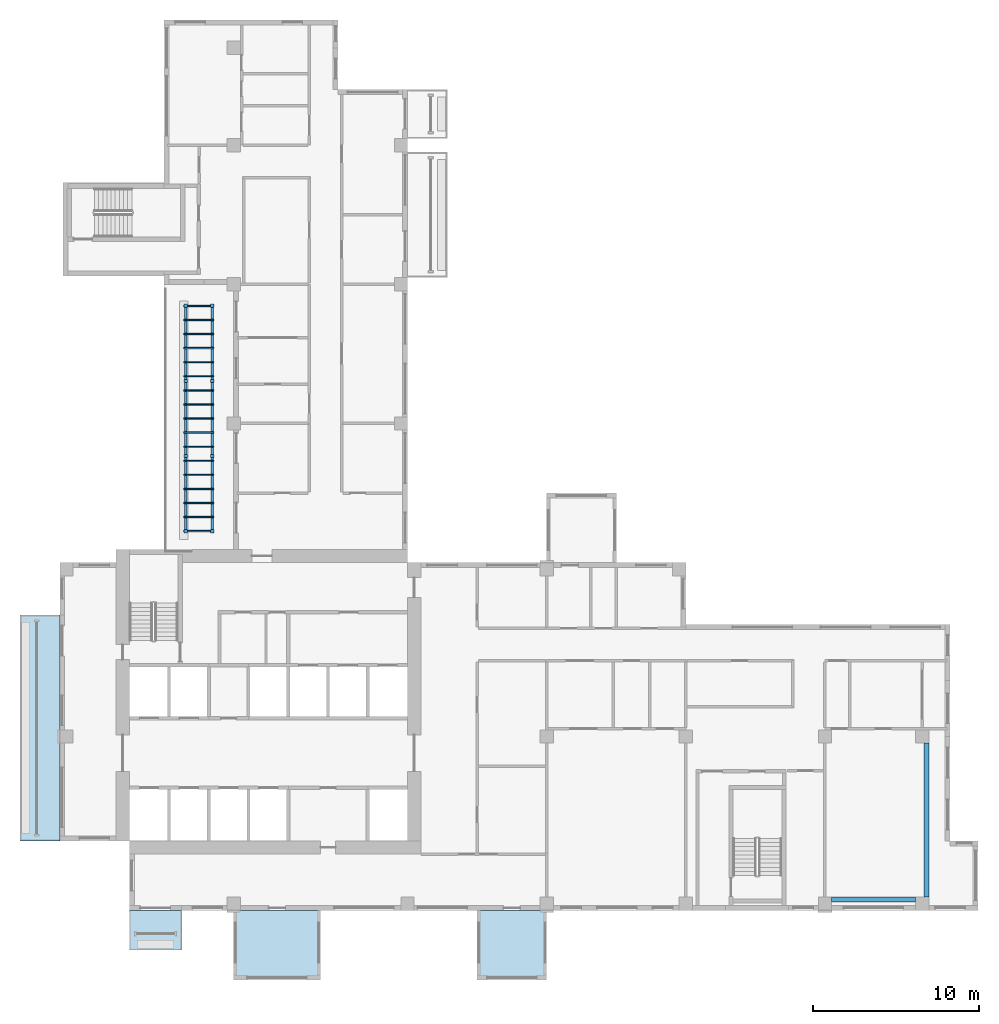
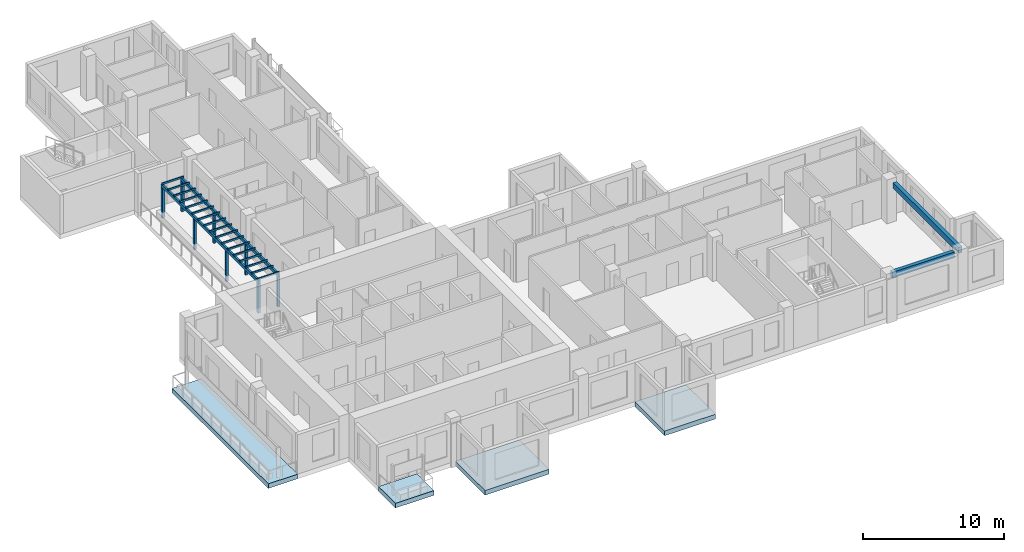
# One storey, part 2 of 14: 29 members, 4 slabs.
"""IFC4 building model written with IfcOpenShell, lengths in metres."""

from ifc_helpers import new_model, si_unit, direction, frame, origin, origin_2d, place, context, subcontext, project, spatial, polyline, rectangle, outline, extrude, source, transform, mapped, material, layer, layer_set, material_profile, profile_set, type_object, element, save


model = new_model("IFC4")

# Units and contexts
model_context = context("Model", 3, precision=1e-05, world=origin(), true_north=direction((0.0, 1.0)))
body_context = subcontext(model_context, "Body", "Model", "MODEL_VIEW")
ifc_project = project(units=[si_unit("LENGTHUNIT", "METRE"), si_unit("AREAUNIT", "SQUARE_METRE"), si_unit("VOLUMEUNIT", "CUBIC_METRE"), si_unit("PLANEANGLEUNIT", "RADIAN"), si_unit("MASSUNIT", "GRAM", prefix="KILO")], contexts=[model_context])

# Site, building, storey
site_placement = place(None, origin())
site = spatial("IfcSite", under=ifc_project, at=site_placement, CompositionType="ELEMENT")
building_placement = place(site_placement, origin())
building = spatial("IfcBuilding", under=site, at=building_placement, Name="Aurelian Terraces", CompositionType="ELEMENT")
storey_placement = place(building_placement, frame((0.0, 0.0, 231.0)))
storey = spatial("IfcBuildingStorey", under=building, at=storey_placement, Name="L52", CompositionType="ELEMENT", Elevation=231.0)

# Members
ifc_material_1 = material(Name="Concrete fc' 40 MPa", Category="concrete")
ifc_material_profile_1 = material_profile(ifc_material_1, rectangle(XDim=0.3, YDim=0.5, at=origin_2d()))
ifc_profile_set_1 = profile_set([ifc_material_profile_1], Name="Concrete fc' 40 MPa")
member_type_1 = type_object("IfcMemberType", Name="CONCRETE EDGE BEAM 300X500", PredefinedType="MEMBER", material=ifc_profile_set_1)
member_1_placement = place(storey_placement, frame((51.68, 0.65, 3.15), z_axis=(-1.0, 0.0, 0.0), x_axis=(0.0, -1.0, 0.0)))
element("IfcMember", 1, at=member_1_placement, inside=storey, type_object=member_type_1, Name="Terrace edge member L53-X1", PredefinedType="MEMBER", context=body_context, shape_type="SweptSolid", body=[
    extrude(rectangle(XDim=0.3, YDim=0.5, at=origin_2d()), origin(), (0.0, 0.0, 1.0), 5.08),
])
member_2_placement = place(storey_placement, frame((52.33, 0.8, 3.15), z_axis=(0.0, 1.0, 0.0), x_axis=(-1.0, 0.0, 0.0)))
element("IfcMember", 2, at=member_2_placement, inside=storey, type_object=member_type_1, Name="Terrace edge member L53-X1.2", PredefinedType="MEMBER", context=body_context, shape_type="SweptSolid", body=[
    extrude(rectangle(XDim=0.3, YDim=0.5, at=origin_2d()), origin(), (0.0, 0.0, 1.0), 9.3),
])
ifc_material_2 = material(Name="Anodised aluminium", Category="aluminium")
ifc_material_profile_2 = material_profile(ifc_material_2, rectangle(XDim=0.2, YDim=0.2, at=origin_2d()))
ifc_profile_set_2 = profile_set([ifc_material_profile_2], Name="Anodised aluminium")
member_type_2 = type_object("IfcMemberType", Name="PERGOLA POST 200X200", PredefinedType="POST", material=ifc_profile_set_2)
shared_shape_1 = source(origin(), body_context, "Body", "SweptSolid", [
    extrude(rectangle(XDim=0.2, YDim=0.2, at=origin_2d()), origin(), (0.0, 0.0, 1.0), 2.6),
])
for number, where, z_axis, x_axis, name in (
    (3, (7.6, 22.9, 0.0), (0.0, 0.0, 1.0), (1.0, 0.0, 0.0), "Pergola post L52 SKY-08-T1.1.1"),
    (4, (9.2, 22.9, 0.0), (0.0, 0.0, 1.0), (1.0, 0.0, 0.0), "Pergola post L52 SKY-08-T1.1.2"),
    (5, (7.6, 27.4333, 0.0), (0.0, 0.0, 1.0), (1.0, 0.0, 0.0), "Pergola post L52 SKY-08-T1.2.1"),
    (6, (9.2, 27.4333, 0.0), (0.0, 0.0, 1.0), (1.0, 0.0, 0.0), "Pergola post L52 SKY-08-T1.2.2"),
    (7, (7.6, 31.9667, 0.0), (0.0, 0.0, 1.0), (1.0, 0.0, 0.0), "Pergola post L52 SKY-08-T1.3.1"),
    (8, (9.2, 31.9667, 0.0), (0.0, 0.0, 1.0), (1.0, 0.0, 0.0), "Pergola post L52 SKY-08-T1.3.2"),
    (9, (7.6, 36.5, 0.0), (0.0, 0.0, 1.0), (1.0, 0.0, 0.0), "Pergola post L52 SKY-08-T1.4.1"),
    (10, (9.2, 36.5, 0.0), (0.0, 0.0, 1.0), (1.0, 0.0, 0.0), "Pergola post L52 SKY-08-T1.4.2"),
):
    element("IfcMember", number, at=place(storey_placement, frame(where, z_axis=z_axis, x_axis=x_axis)), inside=storey, type_object=member_type_2, Name=name, PredefinedType="POST", context=body_context, shape_type="MappedRepresentation", body=[
        mapped(shared_shape_1, transform((0.0, 0.0, 0.0), scale=1.0)),
    ])
ifc_material_profile_3 = material_profile(ifc_material_2, rectangle(XDim=0.15, YDim=0.25, at=origin_2d()))
ifc_profile_set_3 = profile_set([ifc_material_profile_3], Name="Anodised aluminium")
member_type_3 = type_object("IfcMemberType", Name="PERGOLA BEAM 150X250", PredefinedType="PURLIN", material=ifc_profile_set_3)
shared_shape_2 = source(origin(), body_context, "Body", "SweptSolid", [
    extrude(rectangle(XDim=0.15, YDim=0.25, at=origin_2d()), origin(), (0.0, 0.0, 1.0), 13.8),
])
for number, where, z_axis, x_axis, name in (
    (11, (7.6, 22.8, 2.725), (0.0, 1.0, 0.0), (-1.0, 0.0, 0.0), "Pergola beam L52 SKY-08-T1.1"),
    (12, (9.2, 22.8, 2.725), (0.0, 1.0, 0.0), (-1.0, 0.0, 0.0), "Pergola beam L52 SKY-08-T1.2"),
):
    element("IfcMember", number, at=place(storey_placement, frame(where, z_axis=z_axis, x_axis=x_axis)), inside=storey, type_object=member_type_3, Name=name, PredefinedType="PURLIN", context=body_context, shape_type="MappedRepresentation", body=[
        mapped(shared_shape_2, transform((0.0, 0.0, 0.0), scale=1.0)),
    ])
ifc_material_profile_4 = material_profile(ifc_material_2, rectangle(XDim=0.08, YDim=0.15, at=origin_2d()))
ifc_profile_set_4 = profile_set([ifc_material_profile_4], Name="Anodised aluminium")
member_type_4 = type_object("IfcMemberType", Name="PERGOLA RAFTER 80X150", PredefinedType="RAFTER", material=ifc_profile_set_4)
shared_shape_3 = source(origin(), body_context, "Body", "SweptSolid", [
    extrude(rectangle(XDim=0.08, YDim=0.15, at=origin_2d()), origin(), (0.0, 0.0, 1.0), 1.8),
])
for number, where, z_axis, x_axis, name in (
    (13, (7.5, 22.9, 2.925), (1.0, 0.0, 0.0), (0.0, 1.0, 0.0), "Pergola rafter L52 SKY-08-T1.1"),
    (14, (7.5, 23.75, 2.925), (1.0, 0.0, 0.0), (0.0, 1.0, 0.0), "Pergola rafter L52 SKY-08-T1.2"),
    (15, (7.5, 24.6, 2.925), (1.0, 0.0, 0.0), (0.0, 1.0, 0.0), "Pergola rafter L52 SKY-08-T1.3"),
    (16, (7.5, 25.45, 2.925), (1.0, 0.0, 0.0), (0.0, 1.0, 0.0), "Pergola rafter L52 SKY-08-T1.4"),
    (17, (7.5, 26.3, 2.925), (1.0, 0.0, 0.0), (0.0, 1.0, 0.0), "Pergola rafter L52 SKY-08-T1.5"),
    (18, (7.5, 27.15, 2.925), (1.0, 0.0, 0.0), (0.0, 1.0, 0.0), "Pergola rafter L52 SKY-08-T1.6"),
    (19, (7.5, 28.0, 2.925), (1.0, 0.0, 0.0), (0.0, 1.0, 0.0), "Pergola rafter L52 SKY-08-T1.7"),
    (20, (7.5, 28.85, 2.925), (1.0, 0.0, 0.0), (0.0, 1.0, 0.0), "Pergola rafter L52 SKY-08-T1.8"),
    (21, (7.5, 29.7, 2.925), (1.0, 0.0, 0.0), (0.0, 1.0, 0.0), "Pergola rafter L52 SKY-08-T1.9"),
    (22, (7.5, 30.55, 2.925), (1.0, 0.0, 0.0), (0.0, 1.0, 0.0), "Pergola rafter L52 SKY-08-T1.10"),
    (23, (7.5, 31.4, 2.925), (1.0, 0.0, 0.0), (0.0, 1.0, 0.0), "Pergola rafter L52 SKY-08-T1.11"),
    (24, (7.5, 32.25, 2.925), (1.0, 0.0, 0.0), (0.0, 1.0, 0.0), "Pergola rafter L52 SKY-08-T1.12"),
    (25, (7.5, 33.1, 2.925), (1.0, 0.0, 0.0), (0.0, 1.0, 0.0), "Pergola rafter L52 SKY-08-T1.13"),
    (26, (7.5, 33.95, 2.925), (1.0, 0.0, 0.0), (0.0, 1.0, 0.0), "Pergola rafter L52 SKY-08-T1.14"),
    (27, (7.5, 34.8, 2.925), (1.0, 0.0, 0.0), (0.0, 1.0, 0.0), "Pergola rafter L52 SKY-08-T1.15"),
    (28, (7.5, 35.65, 2.925), (1.0, 0.0, 0.0), (0.0, 1.0, 0.0), "Pergola rafter L52 SKY-08-T1.16"),
    (29, (7.5, 36.5, 2.925), (1.0, 0.0, 0.0), (0.0, 1.0, 0.0), "Pergola rafter L52 SKY-08-T1.17"),
):
    element("IfcMember", number, at=place(storey_placement, frame(where, z_axis=z_axis, x_axis=x_axis)), inside=storey, type_object=member_type_4, Name=name, PredefinedType="RAFTER", context=body_context, shape_type="MappedRepresentation", body=[
        mapped(shared_shape_3, transform((0.0, 0.0, 0.0), scale=1.0)),
    ])

# Slabs
ifc_layer_1 = layer(ifc_material_1, 0.41)
ifc_layer_set_1 = layer_set([ifc_layer_1], Name="Box floor 410")
slab_type_1 = type_object("IfcSlabType", Name="Box floor 410", PredefinedType="NOTDEFINED", material=ifc_layer_set_1)
shared_shape_4 = source(origin(), body_context, "Body", "SweptSolid", [
    extrude(outline(polyline([(25.2, -4.2), (29.4, -4.2), (29.4, 0.0), (25.2, 0.0), (25.2, -4.2)])), origin(), (0.0, 0.0, 1.0), 0.41),
])
slab_1_placement = place(storey_placement, frame((0.0, 0.0, -0.41)))
element("IfcSlab", 30, at=slab_1_placement, inside=storey, type_object=slab_type_1, Name="Box floor L52 J76", PredefinedType="NOTDEFINED", context=body_context, shape_type="MappedRepresentation", body=[
    mapped(shared_shape_4, transform((0.0, 0.0, 0.0), scale=1.0)),
])
ifc_layer_2 = layer(ifc_material_1, 0.4)
ifc_layer_set_2 = layer_set([ifc_layer_2], Name="Balcony slab 400")
slab_type_2 = type_object("IfcSlabType", Name="Balcony slab 400", PredefinedType="NOTDEFINED", material=ifc_layer_set_2)
shared_shape_5 = source(origin(), body_context, "Body", "SweptSolid", [
    extrude(outline(polyline([(0.0, 17.85), (0.0, 4.2), (-2.4, 4.2), (-2.4, 17.85), (0.0, 17.85)])), origin(), (0.0, 0.0, 1.0), 0.4),
])
slab_2_placement = place(storey_placement, frame((0.0, 0.0, -0.4)))
element("IfcSlab", 31, at=slab_2_placement, inside=storey, type_object=slab_type_2, Name="Balcony slab L52 F22.37", PredefinedType="NOTDEFINED", context=body_context, shape_type="MappedRepresentation", body=[
    mapped(shared_shape_5, transform((0.0, 0.0, 0.0), scale=1.0)),
])
shared_shape_6 = source(origin(), body_context, "Body", "SweptSolid", [
    extrude(outline(polyline([(10.5, -4.2), (15.75, -4.2), (15.75, 0.0), (10.5, 0.0), (10.5, -4.2)])), origin(), (0.0, 0.0, 1.0), 0.41),
])
slab_3_placement = place(storey_placement, frame((0.0, 0.0, -0.41)))
element("IfcSlab", 32, at=slab_3_placement, inside=storey, type_object=slab_type_1, Name="Box floor L52 J75", PredefinedType="NOTDEFINED", context=body_context, shape_type="MappedRepresentation", body=[
    mapped(shared_shape_6, transform((0.0, 0.0, 0.0), scale=1.0)),
])
shared_shape_7 = source(origin(), body_context, "Body", "SweptSolid", [
    extrude(outline(polyline([(4.2, 0.0), (7.35, 0.0), (7.35, -2.4), (4.2, -2.4), (4.2, 0.0)])), origin(), (0.0, 0.0, 1.0), 0.4),
])
slab_4_placement = place(storey_placement, frame((0.0, 0.0, -0.4)))
element("IfcSlab", 33, at=slab_4_placement, inside=storey, type_object=slab_type_2, Name="Balcony slab L52 F01.1", PredefinedType="NOTDEFINED", context=body_context, shape_type="MappedRepresentation", body=[
    mapped(shared_shape_7, transform((0.0, 0.0, 0.0), scale=1.0)),
])

save(model, "model.ifc")
